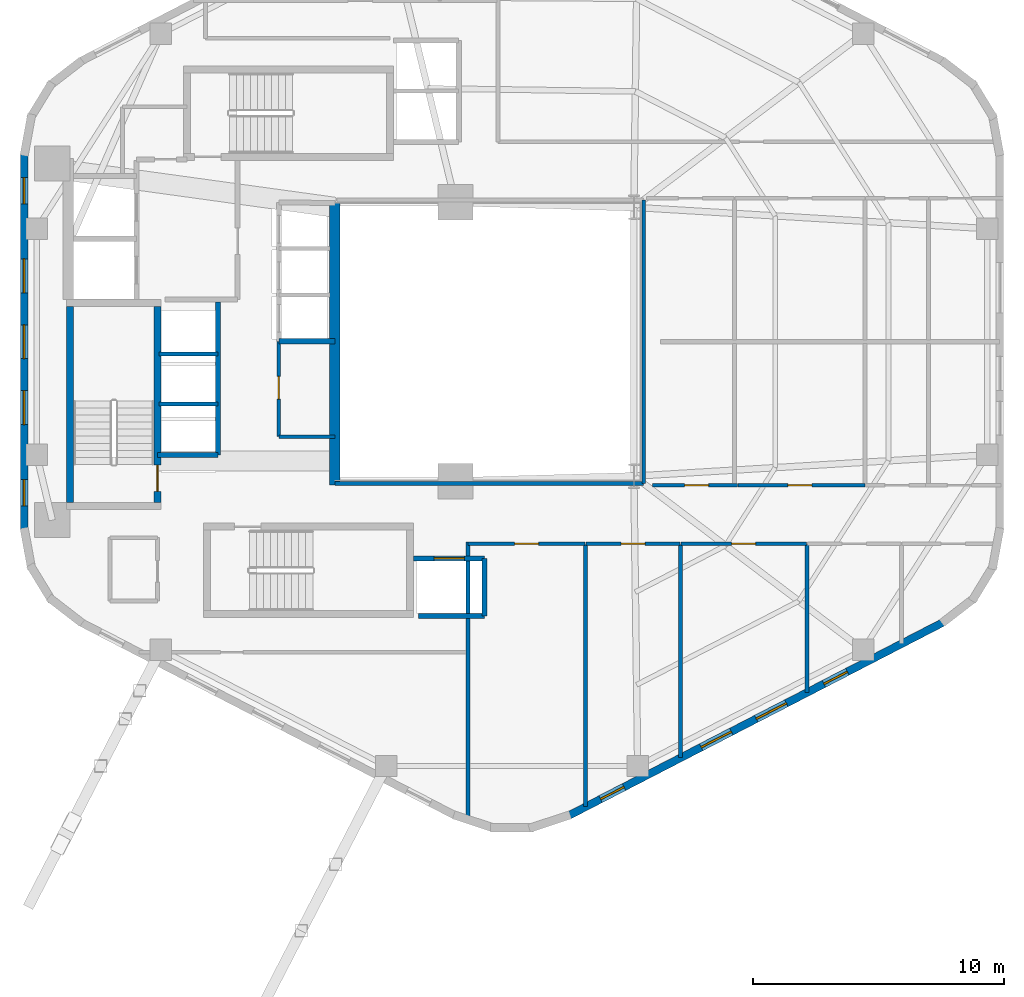
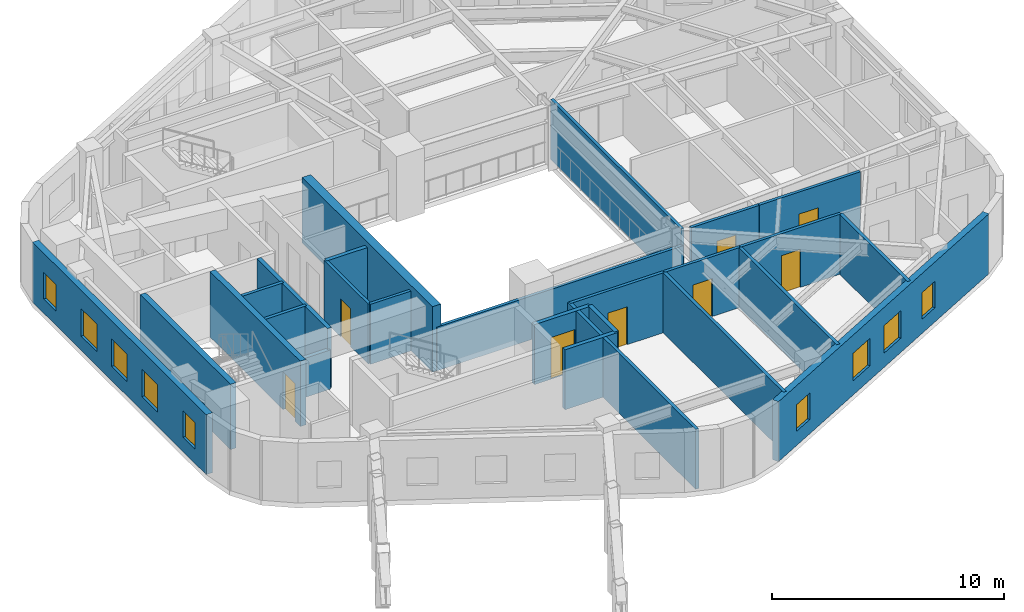
# One storey, part 6 of 11: 26 walls, 9 windows, 8 doors, 17 openings.
"""IFC4 building model written with IfcOpenShell, lengths in metres."""

from ifc_helpers import new_model, si_unit, direction, frame, frame_2d, origin, place, context, subcontext, project, spatial, rectangle, extrude, material, layer, layer_set, type_object, element, fill, save


model = new_model("IFC4")

# Units and contexts
model_context = context("Model", 3, precision=1e-05, world=origin(), true_north=direction((0.0, 1.0)))
body_context = subcontext(model_context, "Body", "Model", "MODEL_VIEW")
ifc_project = project(units=[si_unit("LENGTHUNIT", "METRE"), si_unit("AREAUNIT", "SQUARE_METRE"), si_unit("VOLUMEUNIT", "CUBIC_METRE"), si_unit("PLANEANGLEUNIT", "RADIAN"), si_unit("MASSUNIT", "GRAM", prefix="KILO"), si_unit("THERMODYNAMICTEMPERATUREUNIT", "KELVIN"), si_unit("POWERUNIT", "WATT")], contexts=[model_context])

# Site, building, storey
site_placement = place(None, origin())
site = spatial("IfcSite", under=ifc_project, at=site_placement, CompositionType="ELEMENT")
building_placement = place(site_placement, origin())
building = spatial("IfcBuilding", under=site, at=building_placement, Name="Skarre Station Tower", CompositionType="ELEMENT")
storey_placement = place(building_placement, frame((0.0, 0.0, 170.550048828125)))
storey = spatial("IfcBuildingStorey", under=building, at=storey_placement, Name="L46", CompositionType="ELEMENT", Elevation=170.550048828125)

# Wall, opening, door
ifc_material_1 = material(Name="Acoustic Steel-Stud Gypsum Partition", Category="steel")
ifc_layer_1 = layer(ifc_material_1, 0.14990234375, Name="Acoustic Steel-Stud Gypsum Partition")
ifc_layer_set_1 = layer_set([ifc_layer_1], Name="Acoustic Steel-Stud Gypsum Partition")
wall_type_1 = type_object("IfcWallType", Name="Fire-Rated Corridor Acoustic Partition 150", PredefinedType="PARTITIONING", material=ifc_layer_set_1)
wall_1_placement = place(storey_placement, frame((25.320068359375, 24.02001953125, 0.0), z_axis=(0.0, 0.0, 1.0), x_axis=(0.0, -1.0, 0.0)))
wall_1 = element("IfcWall", 1, at=wall_1_placement, inside=storey, type_object=wall_type_1, Name="L46 Interior Partition WL-PT-L46-RC1-W", PredefinedType="PARTITIONING", context=body_context, shape_type="SweptSolid", body=[
    extrude(rectangle(XDim=3.800048828125, YDim=0.14990234375, at=frame_2d((1.89990234375, 0.0))), origin(), (0.0, 0.0, 1.0), 3.159912109375),
])
opening_1_placement = place(wall_1_placement, frame((1.39990234375, 0.0, 0.0)))
opening_1 = element("IfcOpeningElement", 2, at=opening_1_placement, cuts=wall_1, Name="Opening DR-SVC90", PredefinedType="OPENING", context=body_context, shape_type="SweptSolid", body=[
    extrude(rectangle(XDim=0.89990234375, YDim=2.0, at=frame_2d((0.449951171875, 1.0))), frame((0.0, 0.0849609375, 0.0), z_axis=(0.0, -1.0, 0.0), x_axis=(1.0, 0.0, 0.0)), (0.0, 0.0, 1.0), 0.169921875),
])
ifc_material_2 = material(Name="Powder-Coated Hollow-Metal Acoustic Fire Leaf", Category="steel")
door_type_1 = type_object("IfcDoorType", Name="Service & Riser Fire Door FD60 900x2100", OperationType="SINGLE_SWING_LEFT", PredefinedType="DOOR", material=ifc_material_2)
door_1_placement = place(opening_1_placement, origin())
door_1 = element("IfcDoor", 3, at=door_1_placement, inside=storey, type_object=door_type_1, Name="L46 Housekeeping Room Door", OperationType="SINGLE_SWING_LEFT", OverallHeight=2.0, OverallWidth=0.89990234375, PredefinedType="DOOR", context=body_context, shape_type="SweptSolid", body=[
    extrude(rectangle(XDim=0.89990234375, YDim=2.0, at=frame_2d((0.449951171875, 1.0))), frame((0.0, 0.02490234375, 0.0), z_axis=(0.0, -1.0, 0.0), x_axis=(1.0, 0.0, 0.0)), (0.0, 0.0, 1.0), 0.050048828125),
])
fill(opening_1, door_1)

# Walls
wall_2_placement = place(storey_placement, frame((25.320068359375, 20.219970703125, 0.0), z_axis=(0.0, 0.0, 1.0), x_axis=(1.0, 0.0, 0.0)))
element("IfcWall", 4, at=wall_2_placement, inside=storey, type_object=wall_type_1, Name="L46 Interior Partition WL-PT-L46-RC1-S", PredefinedType="PARTITIONING", context=body_context, shape_type="SweptSolid", body=[
    extrude(rectangle(XDim=2.22998046875, YDim=0.14990234375, at=frame_2d((1.114990234375, 0.0))), origin(), (0.0, 0.0, 1.0), 3.159912109375),
])
wall_3_placement = place(storey_placement, frame((27.550048828125, 18.360107421875, 0.0), z_axis=(0.0, 0.0, 1.0), x_axis=(1.0, 0.0, 0.0)))
element("IfcWall", 5, at=wall_3_placement, inside=storey, type_object=wall_type_1, Name="L46 Interior Partition WL-PT-L46-ATRW-S", PredefinedType="PARTITIONING", context=body_context, shape_type="SweptSolid", body=[
    extrude(rectangle(XDim=12.2900390625, YDim=0.14990234375, at=frame_2d((6.14501953125, 0.0))), origin(), (0.0, 0.0, 1.0), 2.301025390625),
])
wall_4_placement = place(storey_placement, frame((39.840087890625, 18.360107421875, 0.0), z_axis=(0.0, 0.0, 1.0), x_axis=(0.0, 1.0, 0.0)))
element("IfcWall", 6, at=wall_4_placement, inside=storey, type_object=wall_type_1, Name="L46 Interior Partition WL-PT-L46-ATRW-E", PredefinedType="PARTITIONING", context=body_context, shape_type="SweptSolid", body=[
    extrude(rectangle(XDim=11.27978515625, YDim=0.14990234375, at=frame_2d((5.639892578125, 0.0))), origin(), (0.0, 0.0, 1.0), 3.159912109375),
])

# Wall, opening, door
wall_5_placement = place(storey_placement, frame((43.5810546875, 18.2900390625, 0.0), z_axis=(0.0, 0.0, 1.0), x_axis=(-1.0, 0.0, 0.0)))
wall_5 = element("IfcWall", 7, at=wall_5_placement, inside=storey, type_object=wall_type_1, Name="L46 Interior Partition WL-PT-L46-EWS1-CW", PredefinedType="PARTITIONING", context=body_context, shape_type="SweptSolid", body=[
    extrude(rectangle(XDim=3.381103515625, YDim=0.14990234375, at=frame_2d((1.6904296875, 0.0))), origin(), (0.0, 0.0, 1.0), 3.159912109375),
])
opening_2_placement = place(wall_5_placement, frame((1.153076171875, 0.0, 0.0)))
opening_2 = element("IfcOpeningElement", 8, at=opening_2_placement, cuts=wall_5, Name="Opening DR-FD60", PredefinedType="OPENING", context=body_context, shape_type="SweptSolid", body=[
    extrude(rectangle(XDim=0.9599609375, YDim=2.0, at=frame_2d((0.47998046875, 1.0))), frame((0.0, 0.0849609375, 0.0), z_axis=(0.0, -1.0, 0.0), x_axis=(1.0, 0.0, 0.0)), (0.0, 0.0, 1.0), 0.169921875),
])
ifc_material_3 = material(Name="Nordic White-Oak Veneer Solid-Core Fire Leaf", Category="wood")
door_type_2 = type_object("IfcDoorType", Name="Corridor Suite Entry Fire Door FD60 960x2150", OperationType="SINGLE_SWING_LEFT", PredefinedType="DOOR", material=ifc_material_3)
door_2_placement = place(opening_2_placement, origin())
door_2 = element("IfcDoor", 9, at=door_2_placement, inside=storey, type_object=door_type_2, Name="L46 EWS1 Entry Door", OperationType="SINGLE_SWING_LEFT", OverallHeight=2.0, OverallWidth=0.9599609375, PredefinedType="DOOR", context=body_context, shape_type="SweptSolid", body=[
    extrude(rectangle(XDim=0.9599609375, YDim=2.0, at=frame_2d((0.47998046875, 1.0))), frame((0.0, 0.02490234375, 0.0), z_axis=(0.0, -1.0, 0.0), x_axis=(1.0, 0.0, 0.0)), (0.0, 0.0, 1.0), 0.050048828125),
])
fill(opening_2, door_2)

wall_6_placement = place(storey_placement, frame((48.64111328125, 18.2900390625, 0.0), z_axis=(0.0, 0.0, 1.0), x_axis=(-1.0, 0.0, 0.0)))
wall_6 = element("IfcWall", 10, at=wall_6_placement, inside=storey, type_object=wall_type_1, Name="L46 Interior Partition WL-PT-L46-EWS2-CW", PredefinedType="PARTITIONING", context=body_context, shape_type="SweptSolid", body=[
    extrude(rectangle(XDim=5.050048828125, YDim=0.14990234375, at=frame_2d((2.52490234375, 0.0))), origin(), (0.0, 0.0, 1.0), 3.159912109375),
])
opening_3_placement = place(wall_6_placement, frame((2.10205078125, 0.0, 0.0)))
opening_3 = element("IfcOpeningElement", 11, at=opening_3_placement, cuts=wall_6, Name="Opening DR-FD60", PredefinedType="OPENING", context=body_context, shape_type="SweptSolid", body=[
    extrude(rectangle(XDim=0.9599609375, YDim=2.0, at=frame_2d((0.47998046875, 1.0))), frame((0.0, 0.0849609375, 0.0), z_axis=(0.0, -1.0, 0.0), x_axis=(1.0, 0.0, 0.0)), (0.0, 0.0, 1.0), 0.169921875),
])
door_3_placement = place(opening_3_placement, origin())
door_3 = element("IfcDoor", 12, at=door_3_placement, inside=storey, type_object=door_type_2, Name="L46 EWS2 Entry Door", OperationType="SINGLE_SWING_LEFT", OverallHeight=2.0, OverallWidth=0.9599609375, PredefinedType="DOOR", context=body_context, shape_type="SweptSolid", body=[
    extrude(rectangle(XDim=0.9599609375, YDim=2.0, at=frame_2d((0.47998046875, 1.0))), frame((0.0, 0.02490234375, 0.0), z_axis=(0.0, -1.0, 0.0), x_axis=(1.0, 0.0, 0.0)), (0.0, 0.0, 1.0), 0.050048828125),
])
fill(opening_3, door_3)

wall_7_placement = place(storey_placement, frame((32.85009765625, 15.9599609375, 0.0), z_axis=(0.0, 0.0, 1.0), x_axis=(1.0, 0.0, 0.0)))
wall_7 = element("IfcWall", 13, at=wall_7_placement, inside=storey, type_object=wall_type_1, Name="L46 Interior Partition WL-PT-L46-SW1-CW", PredefinedType="PARTITIONING", context=body_context, shape_type="SweptSolid", body=[
    extrude(rectangle(XDim=4.663818359375, YDim=0.14990234375, at=frame_2d((2.33203125, 0.0))), origin(), (0.0, 0.0, 1.0), 3.159912109375),
])
opening_4_placement = place(wall_7_placement, frame((1.85205078125, 0.0, 0.0)))
opening_4 = element("IfcOpeningElement", 14, at=opening_4_placement, cuts=wall_7, Name="Opening DR-FD60", PredefinedType="OPENING", context=body_context, shape_type="SweptSolid", body=[
    extrude(rectangle(XDim=0.9599609375, YDim=2.0, at=frame_2d((0.47998046875, 1.0))), frame((0.0, 0.0849609375, 0.0), z_axis=(0.0, -1.0, 0.0), x_axis=(1.0, 0.0, 0.0)), (0.0, 0.0, 1.0), 0.169921875),
])
door_4_placement = place(opening_4_placement, origin())
door_4 = element("IfcDoor", 15, at=door_4_placement, inside=storey, type_object=door_type_2, Name="L46 SW1 Entry Door", OperationType="SINGLE_SWING_LEFT", OverallHeight=2.0, OverallWidth=0.9599609375, PredefinedType="DOOR", context=body_context, shape_type="SweptSolid", body=[
    extrude(rectangle(XDim=0.9599609375, YDim=2.0, at=frame_2d((0.47998046875, 1.0))), frame((0.0, 0.02490234375, 0.0), z_axis=(0.0, -1.0, 0.0), x_axis=(1.0, 0.0, 0.0)), (0.0, 0.0, 1.0), 0.050048828125),
])
fill(opening_4, door_4)

wall_8_placement = place(storey_placement, frame((37.550048828125, 15.9599609375, 0.0), z_axis=(0.0, 0.0, 1.0), x_axis=(1.0, 0.0, 0.0)))
wall_8 = element("IfcWall", 16, at=wall_8_placement, inside=storey, type_object=wall_type_1, Name="L46 Interior Partition WL-PT-L46-SW2-CW", PredefinedType="PARTITIONING", context=body_context, shape_type="SweptSolid", body=[
    extrude(rectangle(XDim=3.737060546875, YDim=0.14990234375, at=frame_2d((1.86865234375, 0.0))), origin(), (0.0, 0.0, 1.0), 3.159912109375),
])
opening_5_placement = place(wall_8_placement, frame((1.388916015625, 0.0, 0.0)))
opening_5 = element("IfcOpeningElement", 17, at=opening_5_placement, cuts=wall_8, Name="Opening DR-FD60", PredefinedType="OPENING", context=body_context, shape_type="SweptSolid", body=[
    extrude(rectangle(XDim=0.9599609375, YDim=2.0, at=frame_2d((0.47998046875, 1.0))), frame((0.0, 0.0849609375, 0.0), z_axis=(0.0, -1.0, 0.0), x_axis=(1.0, 0.0, 0.0)), (0.0, 0.0, 1.0), 0.169921875),
])
door_5_placement = place(opening_5_placement, origin())
door_5 = element("IfcDoor", 18, at=door_5_placement, inside=storey, type_object=door_type_2, Name="L46 SW2 Entry Door", OperationType="SINGLE_SWING_LEFT", OverallHeight=2.0, OverallWidth=0.9599609375, PredefinedType="DOOR", context=body_context, shape_type="SweptSolid", body=[
    extrude(rectangle(XDim=0.9599609375, YDim=2.0, at=frame_2d((0.47998046875, 1.0))), frame((0.0, 0.02490234375, 0.0), z_axis=(0.0, -1.0, 0.0), x_axis=(1.0, 0.0, 0.0)), (0.0, 0.0, 1.0), 0.050048828125),
])
fill(opening_5, door_5)

wall_9_placement = place(storey_placement, frame((41.322998046875, 15.9599609375, 0.0), z_axis=(0.0, 0.0, 1.0), x_axis=(1.0, 0.0, 0.0)))
wall_9 = element("IfcWall", 19, at=wall_9_placement, inside=storey, type_object=wall_type_1, Name="L46 Interior Partition WL-PT-L46-SW3-CW", PredefinedType="PARTITIONING", context=body_context, shape_type="SweptSolid", body=[
    extrude(rectangle(XDim=4.9951171875, YDim=0.14990234375, at=frame_2d((2.49755859375, 0.0))), origin(), (0.0, 0.0, 1.0), 3.159912109375),
])
opening_6_placement = place(wall_9_placement, frame((2.01806640625, 0.0, 0.0)))
opening_6 = element("IfcOpeningElement", 20, at=opening_6_placement, cuts=wall_9, Name="Opening DR-FD60", PredefinedType="OPENING", context=body_context, shape_type="SweptSolid", body=[
    extrude(rectangle(XDim=0.9599609375, YDim=2.0, at=frame_2d((0.47998046875, 1.0))), frame((0.0, 0.0849609375, 0.0), z_axis=(0.0, -1.0, 0.0), x_axis=(1.0, 0.0, 0.0)), (0.0, 0.0, 1.0), 0.169921875),
])
door_6_placement = place(opening_6_placement, origin())
door_6 = element("IfcDoor", 21, at=door_6_placement, inside=storey, type_object=door_type_2, Name="L46 SW3 Entry Door", OperationType="SINGLE_SWING_LEFT", OverallHeight=2.0, OverallWidth=0.9599609375, PredefinedType="DOOR", context=body_context, shape_type="SweptSolid", body=[
    extrude(rectangle(XDim=0.9599609375, YDim=2.0, at=frame_2d((0.47998046875, 1.0))), frame((0.0, 0.02490234375, 0.0), z_axis=(0.0, -1.0, 0.0), x_axis=(1.0, 0.0, 0.0)), (0.0, 0.0, 1.0), 0.050048828125),
])
fill(opening_6, door_6)

# Wall, openings, windows
ifc_material_4 = material(Name="Precast concrete C45/55", Category="concrete")
ifc_layer_2 = layer(ifc_material_4, 0.31005859375, Name="Precast concrete C45/55")
ifc_layer_set_2 = layer_set([ifc_layer_2], Name="Precast concrete C45/55")
wall_type_2 = type_object("IfcWallType", Name="Nordic Upper-Zone Precast Facet Wall 310", PredefinedType="STANDARD", material=ifc_layer_set_2)
wall_10_placement = place(storey_placement, frame((15.18310546875, 16.498046875, 0.0), z_axis=(0.0, 0.0, 1.0), x_axis=(0.0, 1.0, 0.0)))
wall_10 = element("IfcWall", 22, at=wall_10_placement, inside=storey, type_object=wall_type_2, Name="L46 Facet 2 Nordic Precast Masonry Wall", PredefinedType="STANDARD", context=body_context, shape_type="SweptSolid", body=[
    extrude(rectangle(XDim=15.00390625, YDim=0.31005859375, at=frame_2d((7.501953125, 0.0))), origin(), (0.0, 0.0, 1.0), 3.159912109375),
])
opening_7_placement = place(wall_10_placement, frame((0.968017578125, 0.0, 0.75)))
opening_7 = element("IfcOpeningElement", 23, at=opening_7_placement, cuts=wall_10, Name="Opening WN-SLT", PredefinedType="OPENING", context=body_context, shape_type="SweptSolid", body=[
    extrude(rectangle(XDim=1.050048828125, YDim=1.39990234375, at=frame_2d((0.52490234375, 0.699951171875))), frame((0.0, 0.1650390625, 0.0), z_axis=(0.0, -1.0, 0.0), x_axis=(1.0, 0.0, 0.0)), (0.0, 0.0, 1.0), 0.330078125),
])
opening_8_placement = place(wall_10_placement, frame((4.202880859375, 0.0, 0.75)))
opening_8 = element("IfcOpeningElement", 24, at=opening_8_placement, cuts=wall_10, Name="Opening WN-Z3B", PredefinedType="OPENING", context=body_context, shape_type="SweptSolid", body=[
    extrude(rectangle(XDim=1.35009765625, YDim=1.449951171875, at=frame_2d((0.675048828125, 0.72509765625))), frame((0.0, 0.1650390625, 0.0), z_axis=(0.0, -1.0, 0.0), x_axis=(1.0, 0.0, 0.0)), (0.0, 0.0, 1.0), 0.330078125),
])
opening_9_placement = place(wall_10_placement, frame((6.826904296875, 0.0, 0.75)))
opening_9 = element("IfcOpeningElement", 25, at=opening_9_placement, cuts=wall_10, Name="Opening WN-Z3B", PredefinedType="OPENING", context=body_context, shape_type="SweptSolid", body=[
    extrude(rectangle(XDim=1.35009765625, YDim=1.449951171875, at=frame_2d((0.675048828125, 0.72509765625))), frame((0.0, 0.1650390625, 0.0), z_axis=(0.0, -1.0, 0.0), x_axis=(1.0, 0.0, 0.0)), (0.0, 0.0, 1.0), 0.330078125),
])
opening_10_placement = place(wall_10_placement, frame((9.450927734375, 0.0, 0.75)))
opening_10 = element("IfcOpeningElement", 26, at=opening_10_placement, cuts=wall_10, Name="Opening WN-Z3B", PredefinedType="OPENING", context=body_context, shape_type="SweptSolid", body=[
    extrude(rectangle(XDim=1.35009765625, YDim=1.449951171875, at=frame_2d((0.675048828125, 0.72509765625))), frame((0.0, 0.1650390625, 0.0), z_axis=(0.0, -1.0, 0.0), x_axis=(1.0, 0.0, 0.0)), (0.0, 0.0, 1.0), 0.330078125),
])
opening_11_placement = place(wall_10_placement, frame((12.986083984375, 0.0, 0.75)))
opening_11 = element("IfcOpeningElement", 27, at=opening_11_placement, cuts=wall_10, Name="Opening WN-SLT", PredefinedType="OPENING", context=body_context, shape_type="SweptSolid", body=[
    extrude(rectangle(XDim=1.050048828125, YDim=1.39990234375, at=frame_2d((0.52490234375, 0.699951171875))), frame((0.0, 0.1650390625, 0.0), z_axis=(0.0, -1.0, 0.0), x_axis=(1.0, 0.0, 0.0)), (0.0, 0.0, 1.0), 0.330078125),
])
ifc_material_5 = material(Name="Low-Iron Triple Glazing with Bronze Anodized Frame", Category="glass")
window_type_1 = type_object("IfcWindowType", Name="Nordic Corner Slot Window 1050x1400", PartitioningType="SINGLE_PANEL", PredefinedType="WINDOW", material=ifc_material_5)
window_1_placement = place(opening_7_placement, origin())
window_1 = element("IfcWindow", 28, at=window_1_placement, inside=storey, type_object=window_type_1, Name="L46 Facade Window WL-FAC-L46-F2-1", OverallHeight=1.39990234375, OverallWidth=1.050048828125, PartitioningType="SINGLE_PANEL", PredefinedType="WINDOW", context=body_context, shape_type="SweptSolid", body=[
    extrude(rectangle(XDim=1.050048828125, YDim=1.39990234375, at=frame_2d((0.52490234375, 0.699951171875))), frame((0.0, 0.030029296875, 0.0), z_axis=(0.0, -1.0, 0.0), x_axis=(1.0, 0.0, 0.0)), (0.0, 0.0, 1.0), 0.06005859375),
])
fill(opening_7, window_1)
window_2_placement = place(opening_11_placement, origin())
window_2 = element("IfcWindow", 29, at=window_2_placement, inside=storey, type_object=window_type_1, Name="L46 Facade Window WL-FAC-L46-F2-5", OverallHeight=1.39990234375, OverallWidth=1.050048828125, PartitioningType="SINGLE_PANEL", PredefinedType="WINDOW", context=body_context, shape_type="SweptSolid", body=[
    extrude(rectangle(XDim=1.050048828125, YDim=1.39990234375, at=frame_2d((0.52490234375, 0.699951171875))), frame((0.0, 0.030029296875, 0.0), z_axis=(0.0, -1.0, 0.0), x_axis=(1.0, 0.0, 0.0)), (0.0, 0.0, 1.0), 0.06005859375),
])
fill(opening_11, window_2)
window_type_2 = type_object("IfcWindowType", Name="Nordic Hospitality Narrow Window 1350x1450", PartitioningType="SINGLE_PANEL", PredefinedType="WINDOW", material=ifc_material_5)
window_3_placement = place(opening_8_placement, origin())
window_3 = element("IfcWindow", 30, at=window_3_placement, inside=storey, type_object=window_type_2, Name="L46 Facade Window WL-FAC-L46-F2-2", OverallHeight=1.449951171875, OverallWidth=1.35009765625, PartitioningType="SINGLE_PANEL", PredefinedType="WINDOW", context=body_context, shape_type="SweptSolid", body=[
    extrude(rectangle(XDim=1.35009765625, YDim=1.449951171875, at=frame_2d((0.675048828125, 0.72509765625))), frame((0.0, 0.030029296875, 0.0), z_axis=(0.0, -1.0, 0.0), x_axis=(1.0, 0.0, 0.0)), (0.0, 0.0, 1.0), 0.06005859375),
])
fill(opening_8, window_3)
window_4_placement = place(opening_9_placement, origin())
window_4 = element("IfcWindow", 31, at=window_4_placement, inside=storey, type_object=window_type_2, Name="L46 Facade Window WL-FAC-L46-F2-3", OverallHeight=1.449951171875, OverallWidth=1.35009765625, PartitioningType="SINGLE_PANEL", PredefinedType="WINDOW", context=body_context, shape_type="SweptSolid", body=[
    extrude(rectangle(XDim=1.35009765625, YDim=1.449951171875, at=frame_2d((0.675048828125, 0.72509765625))), frame((0.0, 0.030029296875, 0.0), z_axis=(0.0, -1.0, 0.0), x_axis=(1.0, 0.0, 0.0)), (0.0, 0.0, 1.0), 0.06005859375),
])
fill(opening_9, window_4)
window_5_placement = place(opening_10_placement, origin())
window_5 = element("IfcWindow", 32, at=window_5_placement, inside=storey, type_object=window_type_2, Name="L46 Facade Window WL-FAC-L46-F2-4", OverallHeight=1.449951171875, OverallWidth=1.35009765625, PartitioningType="SINGLE_PANEL", PredefinedType="WINDOW", context=body_context, shape_type="SweptSolid", body=[
    extrude(rectangle(XDim=1.35009765625, YDim=1.449951171875, at=frame_2d((0.675048828125, 0.72509765625))), frame((0.0, 0.030029296875, 0.0), z_axis=(0.0, -1.0, 0.0), x_axis=(1.0, 0.0, 0.0)), (0.0, 0.0, 1.0), 0.06005859375),
])
fill(opening_10, window_5)

wall_11_placement = place(storey_placement, frame((51.7919921875, 12.846923828125, 0.0), z_axis=(0.0, 0.0, 1.0), x_axis=(-0.888626188278, -0.458632202867, 0.0)))
wall_11 = element("IfcWall", 33, at=wall_11_placement, inside=storey, type_object=wall_type_2, Name="L46 Facet 4 Nordic Precast Masonry Wall", PredefinedType="STANDARD", context=body_context, shape_type="SweptSolid", body=[
    extrude(rectangle(XDim=16.828369140625, YDim=0.31005859375, at=frame_2d((8.4140625, 0.0))), origin(), (0.0, 0.0, 1.0), 3.159912109375),
])
opening_12_placement = place(wall_11_placement, frame((4.324951171875, 0.0, 0.75)))
opening_12 = element("IfcOpeningElement", 34, at=opening_12_placement, cuts=wall_11, Name="Opening WN-SLT", PredefinedType="OPENING", context=body_context, shape_type="SweptSolid", body=[
    extrude(rectangle(XDim=1.050048828125, YDim=1.39990234375, at=frame_2d((0.52490234375, 0.699951171875))), frame((0.0, 0.1650390625, 0.0), z_axis=(0.0, -1.0, 0.0), x_axis=(1.0, 0.0, 0.0)), (0.0, 0.0, 1.0), 0.330078125),
])
opening_13_placement = place(wall_11_placement, frame((7.053955078125, 0.0, 0.75)))
opening_13 = element("IfcOpeningElement", 35, at=opening_13_placement, cuts=wall_11, Name="Opening WN-Z3B", PredefinedType="OPENING", context=body_context, shape_type="SweptSolid", body=[
    extrude(rectangle(XDim=1.35009765625, YDim=1.449951171875, at=frame_2d((0.675048828125, 0.72509765625))), frame((0.0, 0.1650390625, 0.0), z_axis=(0.0, -1.0, 0.0), x_axis=(1.0, 0.0, 0.0)), (0.0, 0.0, 1.0), 0.330078125),
])
opening_14_placement = place(wall_11_placement, frame((9.52197265625, 0.0, 0.75)))
opening_14 = element("IfcOpeningElement", 36, at=opening_14_placement, cuts=wall_11, Name="Opening WN-Z3B", PredefinedType="OPENING", context=body_context, shape_type="SweptSolid", body=[
    extrude(rectangle(XDim=1.35009765625, YDim=1.449951171875, at=frame_2d((0.675048828125, 0.72509765625))), frame((0.0, 0.1650390625, 0.0), z_axis=(0.0, -1.0, 0.0), x_axis=(1.0, 0.0, 0.0)), (0.0, 0.0, 1.0), 0.330078125),
])
opening_15_placement = place(wall_11_placement, frame((14.326904296875, 0.0, 0.75)))
opening_15 = element("IfcOpeningElement", 37, at=opening_15_placement, cuts=wall_11, Name="Opening WN-SLT", PredefinedType="OPENING", context=body_context, shape_type="SweptSolid", body=[
    extrude(rectangle(XDim=1.050048828125, YDim=1.39990234375, at=frame_2d((0.52490234375, 0.699951171875))), frame((0.0, 0.1650390625, 0.0), z_axis=(0.0, -1.0, 0.0), x_axis=(1.0, 0.0, 0.0)), (0.0, 0.0, 1.0), 0.330078125),
])
window_6_placement = place(opening_12_placement, origin())
window_6 = element("IfcWindow", 38, at=window_6_placement, inside=storey, type_object=window_type_1, Name="L46 Facade Window WL-FAC-L46-F4-1", OverallHeight=1.39990234375, OverallWidth=1.050048828125, PartitioningType="SINGLE_PANEL", PredefinedType="WINDOW", context=body_context, shape_type="SweptSolid", body=[
    extrude(rectangle(XDim=1.050048828125, YDim=1.39990234375, at=frame_2d((0.52490234375, 0.699951171875))), frame((0.0, 0.030029296875, 0.0), z_axis=(0.0, -1.0, 0.0), x_axis=(1.0, 0.0, 0.0)), (0.0, 0.0, 1.0), 0.06005859375),
])
fill(opening_12, window_6)
window_7_placement = place(opening_15_placement, origin())
window_7 = element("IfcWindow", 39, at=window_7_placement, inside=storey, type_object=window_type_1, Name="L46 Facade Window WL-FAC-L46-F4-4", OverallHeight=1.39990234375, OverallWidth=1.050048828125, PartitioningType="SINGLE_PANEL", PredefinedType="WINDOW", context=body_context, shape_type="SweptSolid", body=[
    extrude(rectangle(XDim=1.050048828125, YDim=1.39990234375, at=frame_2d((0.52490234375, 0.699951171875))), frame((0.0, 0.030029296875, 0.0), z_axis=(0.0, -1.0, 0.0), x_axis=(1.0, 0.0, 0.0)), (0.0, 0.0, 1.0), 0.06005859375),
])
fill(opening_15, window_7)
window_8_placement = place(opening_13_placement, origin())
window_8 = element("IfcWindow", 40, at=window_8_placement, inside=storey, type_object=window_type_2, Name="L46 Facade Window WL-FAC-L46-F4-2", OverallHeight=1.449951171875, OverallWidth=1.35009765625, PartitioningType="SINGLE_PANEL", PredefinedType="WINDOW", context=body_context, shape_type="SweptSolid", body=[
    extrude(rectangle(XDim=1.35009765625, YDim=1.449951171875, at=frame_2d((0.675048828125, 0.72509765625))), frame((0.0, 0.030029296875, 0.0), z_axis=(0.0, -1.0, 0.0), x_axis=(1.0, 0.0, 0.0)), (0.0, 0.0, 1.0), 0.06005859375),
])
fill(opening_13, window_8)
window_9_placement = place(opening_14_placement, origin())
window_9 = element("IfcWindow", 41, at=window_9_placement, inside=storey, type_object=window_type_2, Name="L46 Facade Window WL-FAC-L46-F4-3", OverallHeight=1.449951171875, OverallWidth=1.35009765625, PartitioningType="SINGLE_PANEL", PredefinedType="WINDOW", context=body_context, shape_type="SweptSolid", body=[
    extrude(rectangle(XDim=1.35009765625, YDim=1.449951171875, at=frame_2d((0.675048828125, 0.72509765625))), frame((0.0, 0.030029296875, 0.0), z_axis=(0.0, -1.0, 0.0), x_axis=(1.0, 0.0, 0.0)), (0.0, 0.0, 1.0), 0.06005859375),
])
fill(opening_14, window_9)

# Wall
ifc_material_6 = material(Name="Concrete C50/60", Category="concrete")
ifc_layer_3 = layer(ifc_material_6, 0.280029296875, Name="Concrete C50/60")
ifc_layer_set_3 = layer_set([ifc_layer_3], Name="Concrete C50/60")
wall_type_3 = type_object("IfcWallType", Name="RC Core Shear Wall 280", PredefinedType="SHEAR", material=ifc_layer_set_3)
wall_12_placement = place(storey_placement, frame((17.010009765625, 25.39990234375, 0.0), z_axis=(0.0, 0.0, 1.0), x_axis=(0.0, -1.0, 0.0)))
element("IfcWall", 42, at=wall_12_placement, inside=storey, type_object=wall_type_3, Name="L46 Stair ST-1 West Shear Wall", PredefinedType="SHEAR", context=body_context, shape_type="SweptSolid", body=[
    extrude(rectangle(XDim=7.7998046875, YDim=0.280029296875, at=frame_2d((3.89990234375, 0.0))), origin(), (0.0, 0.0, 1.0), 3.449951171875),
])

# Wall, opening, door
wall_13_placement = place(storey_placement, frame((20.489990234375, 17.60009765625, 0.0), z_axis=(0.0, 0.0, 1.0), x_axis=(0.0, 1.0, 0.0)))
wall_13 = element("IfcWall", 43, at=wall_13_placement, inside=storey, type_object=wall_type_3, Name="L46 Stair ST-1 East Shear Wall", PredefinedType="SHEAR", context=body_context, shape_type="SweptSolid", body=[
    extrude(rectangle(XDim=7.7998046875, YDim=0.280029296875, at=frame_2d((3.89990234375, 0.0))), origin(), (0.0, 0.0, 1.0), 3.449951171875),
])
opening_16_placement = place(wall_13_placement, frame((0.43994140625, 0.0, 0.0)))
opening_16 = element("IfcOpeningElement", 44, at=opening_16_placement, cuts=wall_13, Name="Opening DR-FD90", PredefinedType="OPENING", context=body_context, shape_type="SweptSolid", body=[
    extrude(rectangle(XDim=1.050048828125, YDim=2.0, at=frame_2d((0.52490234375, 1.0))), frame((0.0, 0.14990234375, 0.0), z_axis=(0.0, -1.0, 0.0), x_axis=(1.0, 0.0, 0.0)), (0.0, 0.0, 1.0), 0.300048828125),
])
ifc_material_7 = material(Name="Fire-Rated Insulated Steel Frame & Timber Core Leaf", Category="steel")
door_type_3 = type_object("IfcDoorType", Name="Stair & FSAE Lobby Fire Door FD90 1050x2150", OperationType="SINGLE_SWING_RIGHT", PredefinedType="DOOR", material=ifc_material_7)
door_7_placement = place(opening_16_placement, origin())
door_7 = element("IfcDoor", 45, at=door_7_placement, inside=storey, type_object=door_type_3, Name="L46 Stair ST-1 Exit Door", OperationType="SINGLE_SWING_RIGHT", OverallHeight=2.0, OverallWidth=1.050048828125, PredefinedType="DOOR", context=body_context, shape_type="SweptSolid", body=[
    extrude(rectangle(XDim=1.050048828125, YDim=2.0, at=frame_2d((0.52490234375, 1.0))), frame((0.0, 0.02490234375, 0.0), z_axis=(0.0, -1.0, 0.0), x_axis=(1.0, 0.0, 0.0)), (0.0, 0.0, 1.0), 0.050048828125),
])
fill(opening_16, door_7)

# Wall
ifc_material_8 = material(Name="Concrete C60/75", Category="concrete")
ifc_layer_4 = layer(ifc_material_8, 0.419921875, Name="Concrete C60/75")
ifc_layer_set_4 = layer_set([ifc_layer_4], Name="Concrete C60/75")
wall_type_4 = type_object("IfcWallType", Name="RC Core Shear Wall 420", PredefinedType="SHEAR", material=ifc_layer_set_4)
wall_14_placement = place(storey_placement, frame((27.550048828125, 29.550048828125, 0.0), z_axis=(0.0, 0.0, 1.0), x_axis=(0.0, -1.0, 0.0)))
element("IfcWall", 46, at=wall_14_placement, inside=storey, type_object=wall_type_4, Name="L46 Core East Atrium Shear Wall", PredefinedType="SHEAR", context=body_context, shape_type="SweptSolid", body=[
    extrude(rectangle(XDim=11.25, YDim=0.419921875, at=frame_2d((5.625, 0.0))), origin(), (0.0, 0.0, 1.0), 3.449951171875),
])

# Wall, opening, door
ifc_material_9 = material(Name="Gypsum Concrete Shaft Assembly C30/37", Category="concrete")
ifc_layer_5 = layer(ifc_material_9, 0.199951171875, Name="Gypsum Concrete Shaft Assembly C30/37")
ifc_layer_set_5 = layer_set([ifc_layer_5], Name="Gypsum Concrete Shaft Assembly C30/37")
wall_type_5 = type_object("IfcWallType", Name="Shaft & Core Fire Partition 200", PredefinedType="PARTITIONING", material=ifc_layer_set_5)
wall_15_placement = place(storey_placement, frame((33.5, 15.3798828125, 0.0), z_axis=(0.0, 0.0, 1.0), x_axis=(-1.0, 0.0, 0.0)))
wall_15 = element("IfcWall", 47, at=wall_15_placement, inside=storey, type_object=wall_type_5, Name="L46 Interior Partition WL-PT-L46-SV1-N", PredefinedType="PARTITIONING", context=body_context, shape_type="SweptSolid", body=[
    extrude(rectangle(XDim=2.820068359375, YDim=0.199951171875, at=frame_2d((1.41015625, 0.0))), origin(), (0.0, 0.0, 1.0), 3.159912109375),
])
opening_17_placement = place(wall_15_placement, frame((0.800048828125, 0.0, 0.0)))
opening_17 = element("IfcOpeningElement", 48, at=opening_17_placement, cuts=wall_15, Name="Opening LD-SV1", PredefinedType="OPENING", context=body_context, shape_type="SweptSolid", body=[
    extrude(rectangle(XDim=1.199951171875, YDim=2.199951171875, at=frame_2d((0.60009765625, 1.10009765625))), frame((0.0, 0.10986328125, 0.0), z_axis=(0.0, -1.0, 0.0), x_axis=(1.0, 0.0, 0.0)), (0.0, 0.0, 1.0), 0.219970703125),
])
ifc_material_10 = material(Name="Heavy-Gauge Brushed Stainless Steel Sliding Leaves", Category="steel")
door_type_4 = type_object("IfcDoorType", Name="Service Elevator Wide Sliding Landing Door 1200x2200", OperationType="SLIDING_TO_RIGHT", PredefinedType="DOOR", material=ifc_material_10)
door_8_placement = place(opening_17_placement, origin())
door_8 = element("IfcDoor", 49, at=door_8_placement, inside=storey, type_object=door_type_4, Name="L46 Service Lift LF-SV1 Landing Door", OperationType="SLIDING_TO_RIGHT", OverallHeight=2.199951171875, OverallWidth=1.199951171875, PredefinedType="DOOR", context=body_context, shape_type="SweptSolid", body=[
    extrude(rectangle(XDim=1.199951171875, YDim=2.199951171875, at=frame_2d((0.60009765625, 1.10009765625))), frame((0.0, 0.02490234375, 0.0), z_axis=(0.0, -1.0, 0.0), x_axis=(1.0, 0.0, 0.0)), (0.0, 0.0, 1.0), 0.050048828125),
])
fill(opening_17, door_8)

# Walls
wall_16_placement = place(storey_placement, frame((33.5, 13.080078125, 0.0), z_axis=(0.0, 0.0, 1.0), x_axis=(0.0, 1.0, 0.0)))
element("IfcWall", 50, at=wall_16_placement, inside=storey, type_object=wall_type_5, Name="L46 Interior Partition WL-PT-L46-SV1-E", PredefinedType="PARTITIONING", context=body_context, shape_type="SweptSolid", body=[
    extrude(rectangle(XDim=2.2998046875, YDim=0.199951171875, at=frame_2d((1.14990234375, 0.0))), origin(), (0.0, 0.0, 1.0), 3.159912109375),
])
wall_17_placement = place(storey_placement, frame((30.87890625, 13.080078125, 0.0), z_axis=(0.0, 0.0, 1.0), x_axis=(1.0, 0.0, 0.0)))
element("IfcWall", 51, at=wall_17_placement, inside=storey, type_object=wall_type_5, Name="L46 Interior Partition WL-PT-L46-SV1-S", PredefinedType="PARTITIONING", context=body_context, shape_type="SweptSolid", body=[
    extrude(rectangle(XDim=2.62109375, YDim=0.199951171875, at=frame_2d((1.310546875, 0.0))), origin(), (0.0, 0.0, 1.0), 3.159912109375),
])
wall_18_placement = place(storey_placement, frame((22.89990234375, 19.5, 0.0), z_axis=(0.0, 0.0, 1.0), x_axis=(0.0, 1.0, 0.0)))
element("IfcWall", 52, at=wall_18_placement, inside=storey, type_object=wall_type_5, Name="L46 Interior Partition WL-PT-L46-B3-E", PredefinedType="PARTITIONING", context=body_context, shape_type="SweptSolid", body=[
    extrude(rectangle(XDim=6.0849609375, YDim=0.199951171875, at=frame_2d((3.04248046875, 0.0))), origin(), (0.0, 0.0, 1.0), 3.159912109375),
])
wall_19_placement = place(storey_placement, frame((20.489990234375, 19.5, 0.0), z_axis=(0.0, 0.0, 1.0), x_axis=(1.0, 0.0, 0.0)))
element("IfcWall", 53, at=wall_19_placement, inside=storey, type_object=wall_type_5, Name="L46 Interior Partition WL-PT-L46-B3-S", PredefinedType="PARTITIONING", context=body_context, shape_type="SweptSolid", body=[
    extrude(rectangle(XDim=2.409912109375, YDim=0.199951171875, at=frame_2d((1.205078125, 0.0))), origin(), (0.0, 0.0, 1.0), 2.06005859375),
])
for number, where, z_axis, x_axis, name in (
    (54, (20.550048828125, 21.52001953125, 0.0), (0.0, 0.0, 1.0), (1.0, 0.0, 0.0), "L46 Interior Partition WL-PT-L46-B3-D1"),
    (55, (20.550048828125, 23.52001953125, 0.0), (0.0, 0.0, 1.0), (1.0, 0.0, 0.0), "L46 Interior Partition WL-PT-L46-B3-D2"),
):
    element("IfcWall", number, at=place(storey_placement, frame(where, z_axis=z_axis, x_axis=x_axis)), inside=storey, type_object=wall_type_5, Name=name, PredefinedType="PARTITIONING", context=body_context, shape_type="SweptSolid", body=[
        extrude(rectangle(XDim=2.349853515625, YDim=0.159912109375, at=frame_2d((1.1748046875, 0.0))), origin(), (0.0, 0.0, 1.0), 3.159912109375),
    ])
wall_20_placement = place(storey_placement, frame((25.320068359375, 24.02001953125, 0.0), z_axis=(0.0, 0.0, 1.0), x_axis=(1.0, 0.0, 0.0)))
element("IfcWall", 56, at=wall_20_placement, inside=storey, type_object=wall_type_5, Name="L46 Interior Partition WL-PT-L46-B2-S", PredefinedType="PARTITIONING", context=body_context, shape_type="SweptSolid", body=[
    extrude(rectangle(XDim=2.22998046875, YDim=0.199951171875, at=frame_2d((1.114990234375, 0.0))), origin(), (0.0, 0.0, 1.0), 3.159912109375),
])
ifc_layer_6 = layer(ifc_material_1, 0.1650390625, Name="Acoustic Steel-Stud Gypsum Partition")
ifc_layer_set_6 = layer_set([ifc_layer_6], Name="Acoustic Steel-Stud Gypsum Partition")
wall_type_6 = type_object("IfcWallType", Name="Suite Demising Acoustic Partition 165", PredefinedType="PARTITIONING", material=ifc_layer_set_6)
wall_21_placement = place(storey_placement, frame((32.85009765625, 4.97607421875, 0.0), z_axis=(0.0, 0.0, 1.0), x_axis=(0.0, 1.0, 0.0)))
element("IfcWall", 57, at=wall_21_placement, inside=storey, type_object=wall_type_6, Name="L46 Interior Partition WL-PT-L46-SWP-E", PredefinedType="PARTITIONING", context=body_context, shape_type="SweptSolid", body=[
    extrude(rectangle(XDim=11.053955078125, YDim=0.1650390625, at=frame_2d((5.52685546875, 0.0))), origin(), (0.0, 0.0, 1.0), 3.159912109375),
])
wall_22_placement = place(storey_placement, frame((37.531982421875, 5.50390625, 0.0), z_axis=(0.0, 0.0, 1.0), x_axis=(0.0, 1.0, 0.0)))
element("IfcWall", 58, at=wall_22_placement, inside=storey, type_object=wall_type_6, Name="L46 Interior Partition WL-PT-L46-SW-P1", PredefinedType="PARTITIONING", context=body_context, shape_type="SweptSolid", body=[
    extrude(rectangle(XDim=10.426025390625, YDim=0.1650390625, at=frame_2d((5.212890625, 0.0))), origin(), (0.0, 0.0, 1.0), 3.159912109375),
])
wall_23_placement = place(storey_placement, frame((41.304931640625, 7.450927734375, 0.0), z_axis=(0.0, 0.0, 1.0), x_axis=(0.0, 1.0, 0.0)))
element("IfcWall", 59, at=wall_23_placement, inside=storey, type_object=wall_type_6, Name="L46 Interior Partition WL-PT-L46-SW-P2", PredefinedType="PARTITIONING", context=body_context, shape_type="SweptSolid", body=[
    extrude(rectangle(XDim=8.47900390625, YDim=0.1650390625, at=frame_2d((4.239501953125, 0.0))), origin(), (0.0, 0.0, 1.0), 3.159912109375),
])
wall_24_placement = place(storey_placement, frame((46.3359375, 10.048095703125, 0.0), z_axis=(0.0, 0.0, 1.0), x_axis=(0.0, 1.0, 0.0)))
element("IfcWall", 60, at=wall_24_placement, inside=storey, type_object=wall_type_6, Name="L46 Interior Partition WL-PT-L46-SW-P3", PredefinedType="PARTITIONING", context=body_context, shape_type="SweptSolid", body=[
    extrude(rectangle(XDim=5.8818359375, YDim=0.1650390625, at=frame_2d((2.94091796875, 0.0))), origin(), (0.0, 0.0, 1.0), 3.159912109375),
])

save(model, "model.ifc")
